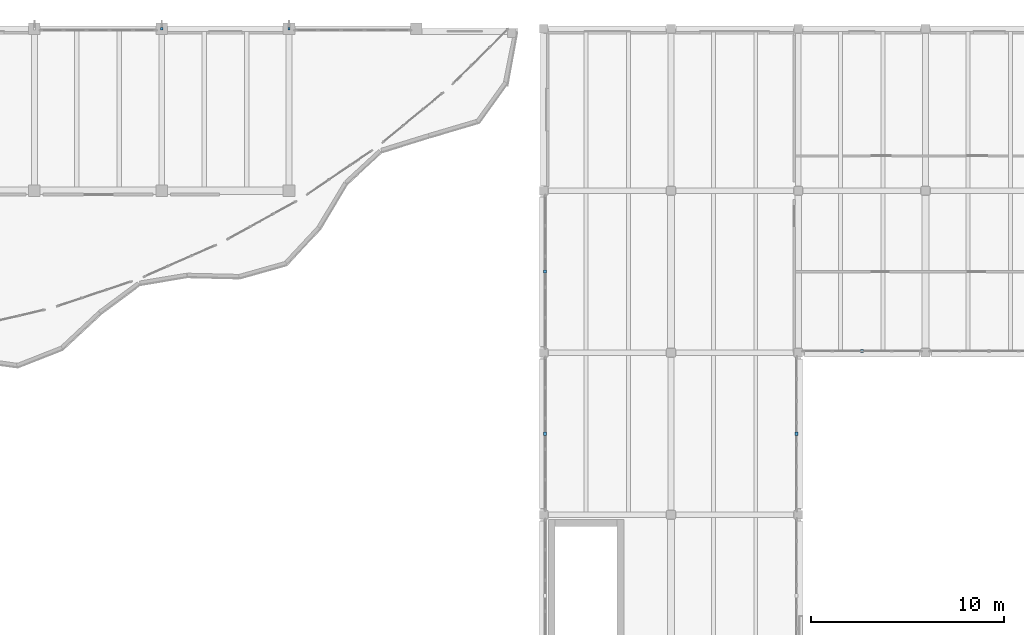
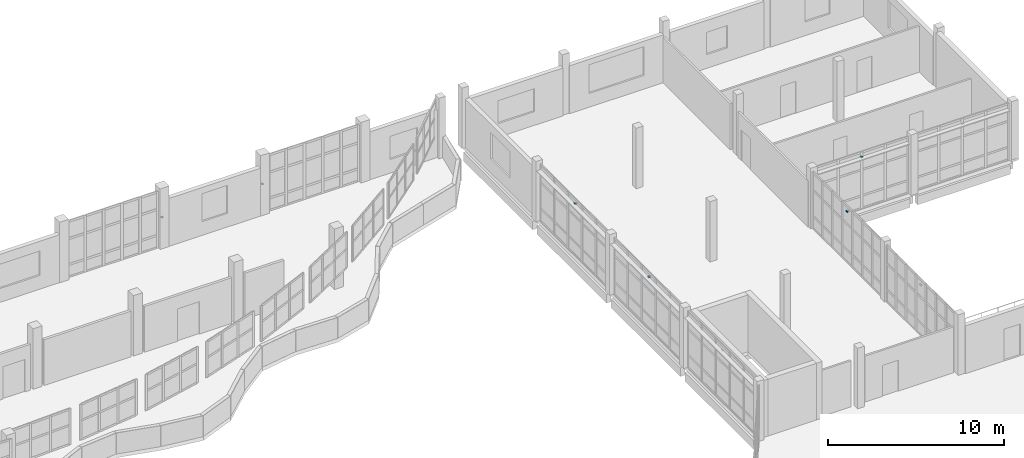
# One storey, part 64 of 74: 6 discrete accessories.
"""IFC4 building model written with IfcOpenShell, lengths in metres."""

from ifc_helpers import new_model, si_unit, direction, frame, origin, origin_2d, place, context, subcontext, project, spatial, rectangle, extrude, material, layer, layer_set, type_object, element, save


model = new_model("IFC4")

# Units and contexts
model_context = context("Model", 3, precision=1e-05, world=origin(), true_north=direction((0.0, 1.0)))
body_context = subcontext(model_context, "Body", "Model", "MODEL_VIEW")
ifc_project = project(units=[si_unit("LENGTHUNIT", "METRE"), si_unit("AREAUNIT", "SQUARE_METRE"), si_unit("VOLUMEUNIT", "CUBIC_METRE"), si_unit("PLANEANGLEUNIT", "RADIAN"), si_unit("MASSUNIT", "GRAM", prefix="KILO")], contexts=[model_context])

# Site, building, storey
site_placement = place(None, origin())
site = spatial("IfcSite", under=ifc_project, at=site_placement, CompositionType="ELEMENT")
building_placement = place(site_placement, origin())
building = spatial("IfcBuilding", under=site, at=building_placement, Name="Qaldarim Faculty of Natural and Applied Sciences", CompositionType="ELEMENT")
storey_placement = place(building_placement, frame((0.0, 0.0, 14.39990234375)))
storey = spatial("IfcBuildingStorey", under=building, at=storey_placement, Name="L03", CompositionType="ELEMENT", Elevation=14.39990234375)

# Discrete accessories
ifc_material = material(Name="Architectural stainless steel 316", Category="steel")
ifc_layer = layer(ifc_material, 0.080078125)
ifc_layer_set = layer_set([ifc_layer], Name="Architectural stainless steel 316")
discrete_accessory_type = type_object("IfcDiscreteAccessoryType", Name="FacadeBracket-SS120", PredefinedType="BRACKET", material=ifc_layer_set)
for number, where, z_axis, x_axis, name in (
    (1, (151.8798828125, 96.60009765625, 3.550048828125), (0.0, 0.0, 1.0), (0.0, 1.0, 0.0), "Solar louvre support bracket SHD-L03-W-X24Y12"),
    (2, (151.8798828125, 105.0, 3.550048828125), (0.0, 0.0, 1.0), (0.0, 1.0, 0.0), "Solar louvre support bracket SHD-L03-W-X24Y13"),
    (3, (164.919921875, 96.60009765625, 3.550048828125), (0.0, 0.0, 1.0), (0.0, 1.0, 0.0), "Solar louvre support bracket SHD-L03-E-X25Y12"),
    (4, (168.300048828125, 100.8798828125, 3.550048828125), (0.0, 0.0, 1.0), (1.0, 0.0, 0.0), "Solar louvre support bracket SHD-L03-S-X26Y13"),
):
    element("IfcDiscreteAccessory", number, at=place(storey_placement, frame(where, z_axis=z_axis, x_axis=x_axis)), inside=storey, type_object=discrete_accessory_type, Name=name, PredefinedType="BRACKET", context=body_context, shape_type="SweptSolid", body=[
        extrude(rectangle(XDim=0.159912109375, YDim=0.159912109375, at=origin_2d()), origin(), (0.0, 0.0, 1.0), 0.080078125),
    ])
for number, where, z_axis, x_axis, name in (
    (5, (132.0, 117.60009765625, 1.93017578125), (0.0, 0.0, 1.0), (1.0, 0.0, 0.0), "North fin bracket FIN-V4N-L03-X21"),
    (6, (138.60009765625, 117.60009765625, 1.93017578125), (0.0, 0.0, 1.0), (1.0, 0.0, 0.0), "North fin bracket FIN-V4N-L03-X22"),
):
    element("IfcDiscreteAccessory", number, at=place(storey_placement, frame(where, z_axis=z_axis, x_axis=x_axis)), inside=storey, type_object=discrete_accessory_type, Name=name, PredefinedType="BRACKET", context=body_context, shape_type="SweptSolid", body=[
        extrude(rectangle(XDim=0.1201171875, YDim=0.1201171875, at=origin_2d()), origin(), (0.0, 0.0, 1.0), 0.080078125),
    ])

save(model, "model.ifc")
